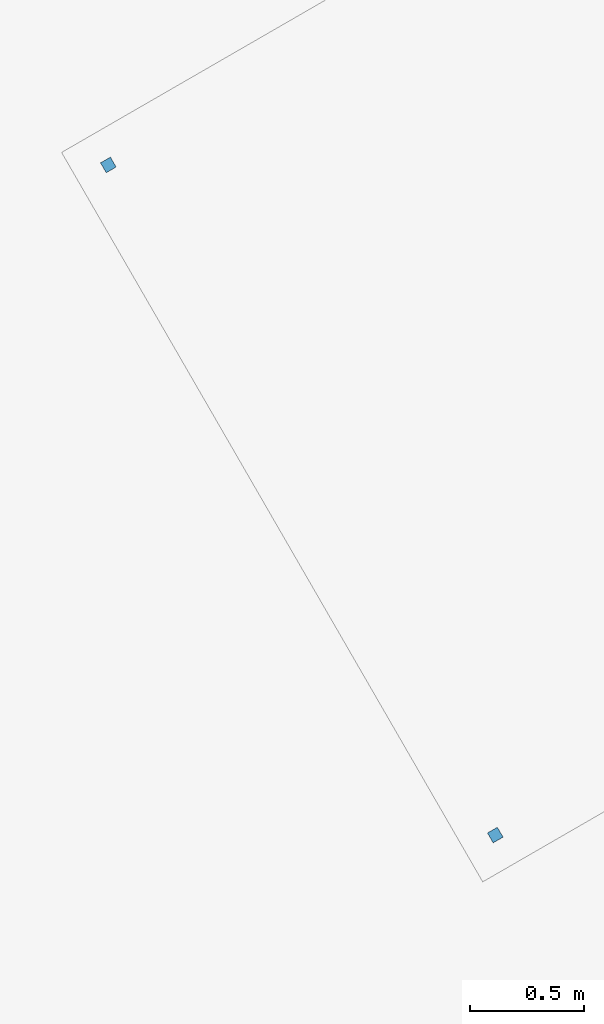
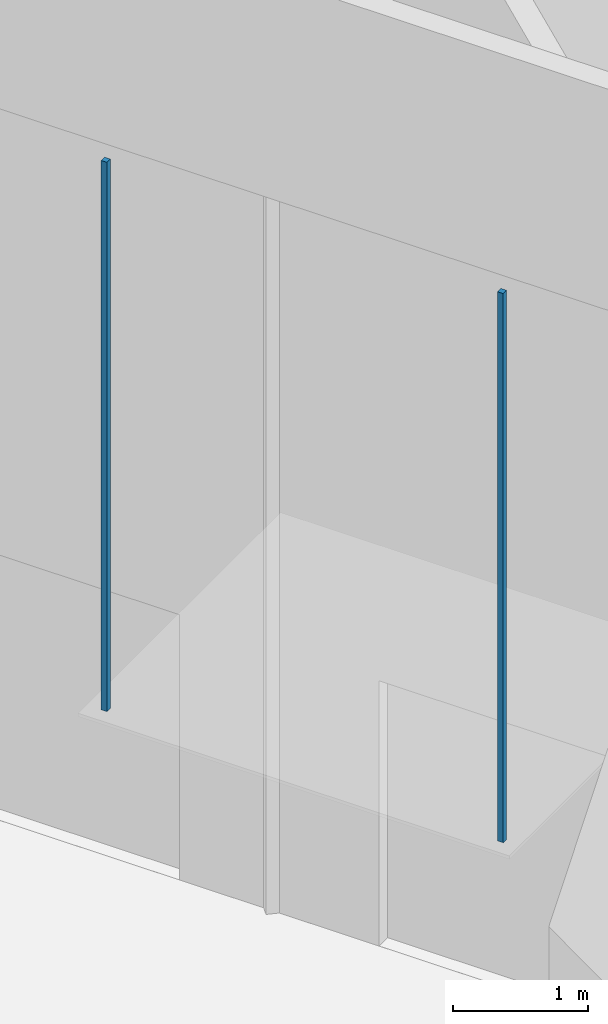
# One storey, part 13 of 26: 2 discrete accessories.
"""IFC4 building model written with IfcOpenShell, lengths in metres."""

from ifc_helpers import new_model, si_unit, direction, frame, origin, origin_2d, place, context, subcontext, project, spatial, rectangle, extrude, material, element, save


model = new_model("IFC4")

# Units and contexts
model_context = context("Model", 3, precision=1e-05, world=origin(), true_north=direction((0.0, 1.0)))
body_context = subcontext(model_context, "Body", "Model", "MODEL_VIEW")
ifc_project = project(units=[si_unit("LENGTHUNIT", "METRE"), si_unit("AREAUNIT", "SQUARE_METRE"), si_unit("VOLUMEUNIT", "CUBIC_METRE"), si_unit("PLANEANGLEUNIT", "RADIAN"), si_unit("MASSUNIT", "GRAM", prefix="KILO")], contexts=[model_context])

# Site, building, storey
site_placement = place(None, origin())
site = spatial("IfcSite", under=ifc_project, at=site_placement, CompositionType="ELEMENT")
building_placement = place(site_placement, origin())
building = spatial("IfcBuilding", under=site, at=building_placement, Name="Trine Commons Tower", CompositionType="ELEMENT")
storey_placement = place(building_placement, origin())
storey = spatial("IfcBuildingStorey", under=building, at=storey_placement, Name="L00", CompositionType="ELEMENT", Elevation=0.0)

# Discrete accessories
ifc_material = material(Name="Stainless steel rod", Category="steel")
for number, where, z_axis, x_axis, name in (
    (1, (72.998291015625, 39.3583984375, 3.6298828125), (0.0, 0.0, 1.0), (-0.5, 0.866025403784, 0.0), "Canopy hanger E3.1"),
    (2, (71.302490234375, 42.295166015625, 3.6298828125), (0.0, 0.0, 1.0), (-0.5, 0.866025403784, 0.0), "Canopy hanger E3.2"),
):
    element("IfcDiscreteAccessory", number, at=place(storey_placement, frame(where, z_axis=z_axis, x_axis=x_axis)), inside=storey, material=ifc_material, Name=name, PredefinedType="BRACKET", context=body_context, shape_type="SweptSolid", body=[
        extrude(rectangle(XDim=0.050048828125, YDim=0.050048828125, at=origin_2d()), origin(), (0.0, 0.0, 1.0), 4.969970703125),
    ])

save(model, "model.ifc")
